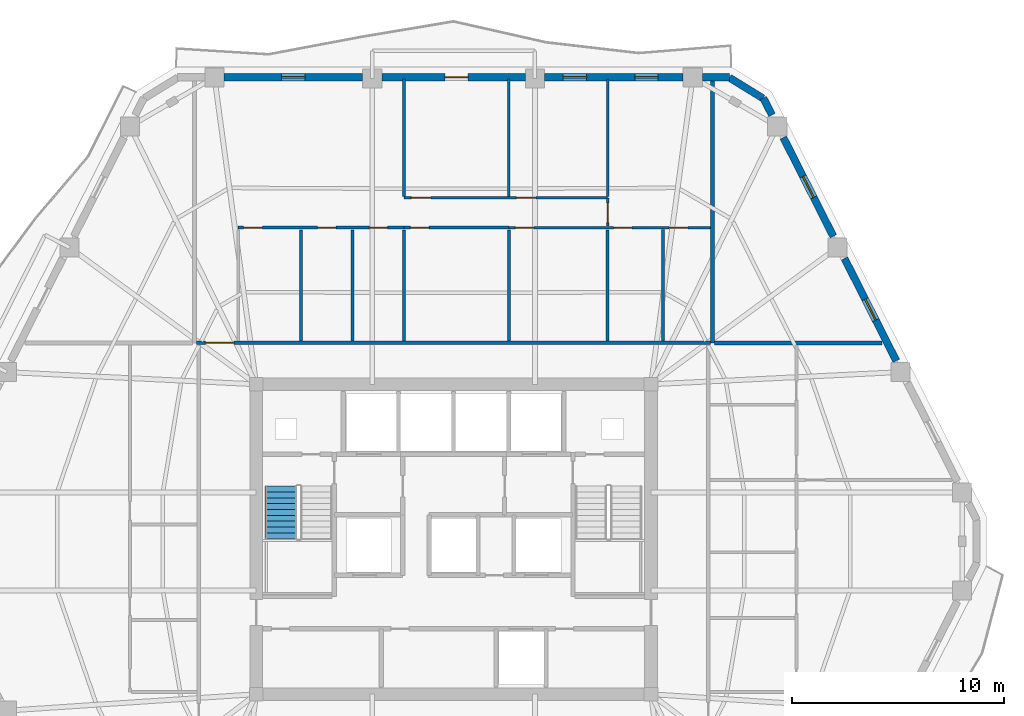
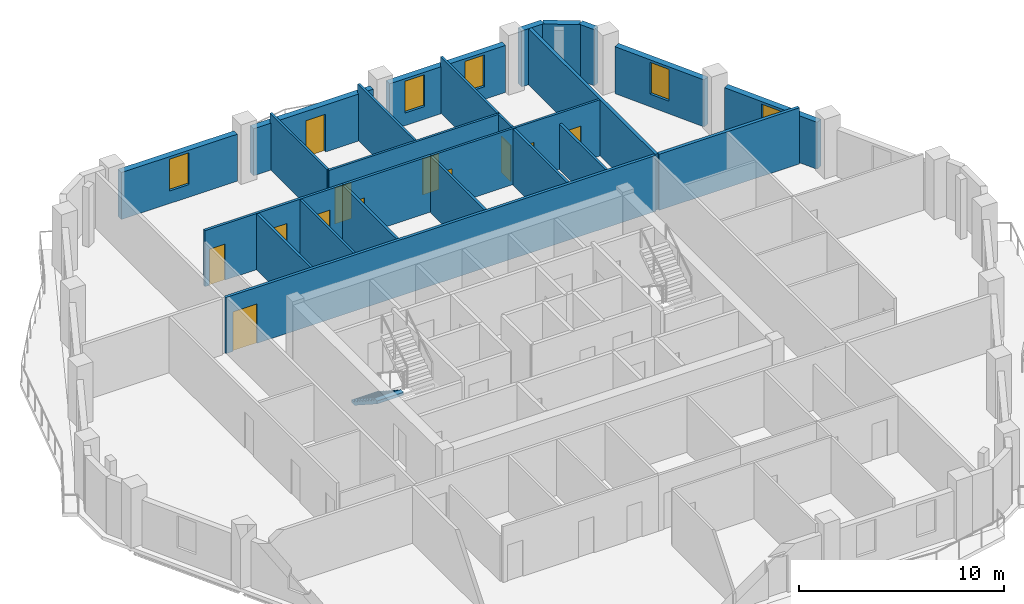
# One storey, part 7 of 10: 25 walls, 12 doors, 5 windows, 1 stair flight, 17 openings, 1 element without a shape of its own.
"""IFC4 building model written with IfcOpenShell, lengths in metres."""

from ifc_helpers import new_model, si_unit, direction, frame, frame_2d, origin, place, context, subcontext, project, spatial, polyline, rectangle, outline, extrude, material, layer, layer_set, type_object, element, fill, aggregate, save


model = new_model("IFC4")

# Units and contexts
model_context = context("Model", 3, precision=1e-05, world=origin(), true_north=direction((0.0, 1.0)))
body_context = subcontext(model_context, "Body", "Model", "MODEL_VIEW")
ifc_project = project(units=[si_unit("LENGTHUNIT", "METRE"), si_unit("AREAUNIT", "SQUARE_METRE"), si_unit("VOLUMEUNIT", "CUBIC_METRE"), si_unit("PLANEANGLEUNIT", "RADIAN"), si_unit("MASSUNIT", "GRAM", prefix="KILO")], contexts=[model_context])

# Site, building, storey
site_placement = place(None, origin())
site = spatial("IfcSite", under=ifc_project, at=site_placement, CompositionType="ELEMENT")
building_placement = place(site_placement, origin())
building = spatial("IfcBuilding", under=site, at=building_placement, Name="Cinnabar Lancet Tower", CompositionType="ELEMENT")
storey_placement = place(building_placement, frame((0.0, 0.0, 160.60009765625)))
storey = spatial("IfcBuildingStorey", under=building, at=storey_placement, Name="L42", CompositionType="ELEMENT", Elevation=160.60009765625)

# Wall, opening, door
ifc_material_1 = material(Name="Acoustic twin-stud gypsum partition", Category="gypsum")
ifc_layer_1 = layer(ifc_material_1, 0.159912109375)
ifc_layer_set_1 = layer_set([ifc_layer_1], Name="Acoustic twin-stud gypsum partition")
wall_type_1 = type_object("IfcWallType", Name="ARC-WL-CORR-160", PredefinedType="PARTITIONING", material=ifc_layer_set_1)
wall_1_placement = place(storey_placement, frame((20.294921875, 35.14990234375, 0.0), z_axis=(0.0, 0.0, 1.0), x_axis=(1.0, 0.0, 0.0)))
wall_1 = element("IfcWall", 1, at=wall_1_placement, inside=storey, type_object=wall_type_1, Name="L42 Unit N01 Corridor Wall", PredefinedType="PARTITIONING", context=body_context, shape_type="SweptSolid", body=[
    extrude(rectangle(XDim=24.2099609375, YDim=0.159912109375, at=frame_2d((12.10498046875, 0.0))), origin(), (0.0, 0.0, 1.0), 3.33984375),
])
opening_1_placement = place(wall_1_placement, frame((0.405029296875, 0.0, 0.0)))
opening_1 = element("IfcOpeningElement", 2, at=opening_1_placement, cuts=wall_1, Name="Opening UD-02", PredefinedType="OPENING", context=body_context, shape_type="SweptSolid", body=[
    extrude(rectangle(XDim=1.35009765625, YDim=2.35009765625, at=frame_2d((0.675048828125, 1.175048828125))), frame((0.0, 0.08984375, 0.0), z_axis=(0.0, -1.0, 0.0), x_axis=(1.0, 0.0, 0.0)), (0.0, 0.0, 1.0), 0.179931640625),
])
ifc_material_2 = material(Name="Double-leaf solid timber penthouse entrance door", Category="wood")
door_type_1 = type_object("IfcDoorType", Name="ARC-DR-UNIT-PH", OperationType="NOTDEFINED", PredefinedType="DOOR", material=ifc_material_2)
door_1_placement = place(opening_1_placement, origin())
door_1 = element("IfcDoor", 3, at=door_1_placement, inside=storey, type_object=door_type_1, Name="DR-L42-N01-ENT", OperationType="SINGLE_SWING_LEFT", OverallHeight=2.35009765625, OverallWidth=1.35009765625, PredefinedType="DOOR", context=body_context, shape_type="SweptSolid", body=[
    extrude(rectangle(XDim=1.35009765625, YDim=2.35009765625, at=frame_2d((0.675048828125, 1.175048828125))), frame((0.0, 0.02490234375, 0.0), z_axis=(0.0, -1.0, 0.0), x_axis=(1.0, 0.0, 0.0)), (0.0, 0.0, 1.0), 0.050048828125),
])
fill(opening_1, door_1)

# Walls
ifc_material_3 = material(Name="Fire-rated twin-frame acoustic drywall", Category="gypsum")
ifc_layer_2 = layer(ifc_material_3, 0.179931640625)
ifc_layer_set_2 = layer_set([ifc_layer_2], Name="Fire-rated twin-frame acoustic drywall")
wall_type_2 = type_object("IfcWallType", Name="ARC-WL-PARTY-180", PredefinedType="PARTITIONING", material=ifc_layer_set_2)
wall_2_placement = place(storey_placement, frame((44.60009765625, 35.14990234375, 0.0), z_axis=(0.0, 0.0, 1.0), x_axis=(0.0, 1.0, 0.0)))
element("IfcWall", 4, at=wall_2_placement, inside=storey, type_object=wall_type_2, Name="PW-L42-NPTY-446", PredefinedType="PARTITIONING", context=body_context, shape_type="SweptSolid", body=[
    extrude(rectangle(XDim=12.34521484375, YDim=0.179931640625, at=frame_2d((6.172607421875, 0.0))), origin(), (0.0, 0.0, 1.0), 3.33984375),
])
wall_3_placement = place(storey_placement, frame((44.695068359375, 35.14990234375, 0.0), z_axis=(0.0, 0.0, 1.0), x_axis=(1.0, 0.0, 0.0)))
element("IfcWall", 5, at=wall_3_placement, inside=storey, type_object=wall_type_2, Name="PW-L42-ENB", PredefinedType="PARTITIONING", context=body_context, shape_type="SweptSolid", body=[
    extrude(rectangle(XDim=7.89501953125, YDim=0.179931640625, at=frame_2d((3.947509765625, 0.0))), origin(), (0.0, 0.0, 1.0), 3.33984375),
])

# Wall, openings, doors
ifc_material_4 = material(Name="Gypsum plasterboard stud partition", Category="gypsum")
ifc_layer_3 = layer(ifc_material_4, 0.125)
ifc_layer_set_3 = layer_set([ifc_layer_3], Name="Gypsum plasterboard stud partition")
wall_type_3 = type_object("IfcWallType", Name="ARC-WL-UNIT-125", PredefinedType="PARTITIONING", material=ifc_layer_set_3)
wall_4_placement = place(storey_placement, frame((35.0048828125, 40.58203125, 0.0), z_axis=(0.0, 0.0, 1.0), x_axis=(1.0, 0.0, 0.0)))
wall_4 = element("IfcWall", 6, at=wall_4_placement, inside=storey, type_object=wall_type_3, Name="UW-L42-N01-SP2", PredefinedType="PARTITIONING", context=body_context, shape_type="SweptSolid", body=[
    extrude(rectangle(XDim=9.5, YDim=0.125, at=frame_2d((4.75, 0.0))), origin(), (0.0, 0.0, 1.0), 3.33984375),
])
opening_2_placement = place(wall_4_placement, frame((4.931884765625, 0.0, 0.0)))
opening_2 = element("IfcOpeningElement", 7, at=opening_2_placement, cuts=wall_4, Name="Opening BD-01", PredefinedType="OPENING", context=body_context, shape_type="SweptSolid", body=[
    extrude(rectangle(XDim=0.860107421875, YDim=2.10009765625, at=frame_2d((0.43017578125, 1.050048828125))), frame((0.0, 0.072509765625, 0.0), z_axis=(0.0, -1.0, 0.0), x_axis=(1.0, 0.0, 0.0)), (0.0, 0.0, 1.0), 0.14501953125),
])
opening_3_placement = place(wall_4_placement, frame((7.550048828125, 0.0, 0.0)))
opening_3 = element("IfcOpeningElement", 8, at=opening_3_placement, cuts=wall_4, Name="Opening RD-02", PredefinedType="OPENING", context=body_context, shape_type="SweptSolid", body=[
    extrude(rectangle(XDim=0.8798828125, YDim=2.14990234375, at=frame_2d((0.43994140625, 1.074951171875))), frame((0.0, 0.072509765625, 0.0), z_axis=(0.0, -1.0, 0.0), x_axis=(1.0, 0.0, 0.0)), (0.0, 0.0, 1.0), 0.14501953125),
])
opening_4_placement = place(wall_4_placement, frame((0.300048828125, 0.0, 0.0)))
opening_4 = element("IfcOpeningElement", 9, at=opening_4_placement, cuts=wall_4, Name="Opening RD-02", PredefinedType="OPENING", context=body_context, shape_type="SweptSolid", body=[
    extrude(rectangle(XDim=0.8798828125, YDim=2.14990234375, at=frame_2d((0.43994140625, 1.074951171875))), frame((0.0, 0.072509765625, 0.0), z_axis=(0.0, -1.0, 0.0), x_axis=(1.0, 0.0, 0.0)), (0.0, 0.0, 1.0), 0.14501953125),
])
ifc_material_5 = material(Name="Moisture-resistant timber bathroom door", Category="wood")
door_type_2 = type_object("IfcDoorType", Name="ARC-DR-BATH", OperationType="NOTDEFINED", PredefinedType="DOOR", material=ifc_material_5)
door_2_placement = place(opening_2_placement, origin())
door_2 = element("IfcDoor", 10, at=door_2_placement, inside=storey, type_object=door_type_2, Name="DR-L42-N01-ENS", OperationType="SINGLE_SWING_RIGHT", OverallHeight=2.10009765625, OverallWidth=0.860107421875, PredefinedType="DOOR", context=body_context, shape_type="SweptSolid", body=[
    extrude(rectangle(XDim=0.860107421875, YDim=2.10009765625, at=frame_2d((0.43017578125, 1.050048828125))), frame((0.0, 0.02490234375, 0.0), z_axis=(0.0, -1.0, 0.0), x_axis=(1.0, 0.0, 0.0)), (0.0, 0.0, 1.0), 0.050048828125),
])
fill(opening_2, door_2)
ifc_material_6 = material(Name="Engineered timber study door", Category="wood")
door_type_3 = type_object("IfcDoorType", Name="ARC-DR-STUDY", OperationType="NOTDEFINED", PredefinedType="DOOR", material=ifc_material_6)
door_3_placement = place(opening_3_placement, origin())
door_3 = element("IfcDoor", 11, at=door_3_placement, inside=storey, type_object=door_type_3, Name="DR-L42-N01-ENS-WDR", OperationType="SINGLE_SWING_LEFT", OverallHeight=2.14990234375, OverallWidth=0.8798828125, PredefinedType="DOOR", context=body_context, shape_type="SweptSolid", body=[
    extrude(rectangle(XDim=0.8798828125, YDim=2.14990234375, at=frame_2d((0.43994140625, 1.074951171875))), frame((0.0, 0.02490234375, 0.0), z_axis=(0.0, -1.0, 0.0), x_axis=(1.0, 0.0, 0.0)), (0.0, 0.0, 1.0), 0.050048828125),
])
fill(opening_3, door_3)
door_4_placement = place(opening_4_placement, origin())
door_4 = element("IfcDoor", 12, at=door_4_placement, inside=storey, type_object=door_type_3, Name="DR-L42-N01-DRS", OperationType="SINGLE_SWING_LEFT", OverallHeight=2.14990234375, OverallWidth=0.8798828125, PredefinedType="DOOR", context=body_context, shape_type="SweptSolid", body=[
    extrude(rectangle(XDim=0.8798828125, YDim=2.14990234375, at=frame_2d((0.43994140625, 1.074951171875))), frame((0.0, 0.02490234375, 0.0), z_axis=(0.0, -1.0, 0.0), x_axis=(1.0, 0.0, 0.0)), (0.0, 0.0, 1.0), 0.050048828125),
])
fill(opening_4, door_4)

# Walls
wall_5_placement = place(storey_placement, frame((27.639892578125, 35.235107421875, 0.0), z_axis=(0.0, 0.0, 1.0), x_axis=(0.0, 1.0, 0.0)))
element("IfcWall", 13, at=wall_5_placement, inside=storey, type_object=wall_type_3, Name="UW-L42-N01-STD", PredefinedType="PARTITIONING", context=body_context, shape_type="SweptSolid", body=[
    extrude(rectangle(XDim=5.241943359375, YDim=0.125, at=frame_2d((2.62109375, 0.0))), origin(), (0.0, 0.0, 1.0), 3.33984375),
])
wall_6_placement = place(storey_placement, frame((30.06201171875, 42.047119140625, 0.0), z_axis=(0.0, 0.0, 1.0), x_axis=(0.0, 1.0, 0.0)))
element("IfcWall", 14, at=wall_6_placement, inside=storey, type_object=wall_type_3, Name="UW-L42-N01-BD2W", PredefinedType="PARTITIONING", context=body_context, shape_type="SweptSolid", body=[
    extrude(rectangle(XDim=5.537841796875, YDim=0.125, at=frame_2d((2.76904296875, 0.0))), origin(), (0.0, 0.0, 1.0), 3.33984375),
])

# Wall, openings, doors
wall_7_placement = place(storey_placement, frame((30.06201171875, 41.98193359375, 0.0), z_axis=(0.0, 0.0, 1.0), x_axis=(1.0, 0.0, 0.0)))
wall_7 = element("IfcWall", 15, at=wall_7_placement, inside=storey, type_object=wall_type_3, Name="UW-L42-N01-HLN", PredefinedType="PARTITIONING", context=body_context, shape_type="SweptSolid", body=[
    extrude(rectangle(XDim=9.594970703125, YDim=0.125, at=frame_2d((4.79736328125, 0.0))), origin(), (0.0, 0.0, 1.0), 3.33984375),
])
opening_5_placement = place(wall_7_placement, frame((0.35009765625, 0.0, 0.0)))
opening_5 = element("IfcOpeningElement", 16, at=opening_5_placement, cuts=wall_7, Name="Opening RD-01", PredefinedType="OPENING", context=body_context, shape_type="SweptSolid", body=[
    extrude(rectangle(XDim=0.919921875, YDim=2.14990234375, at=frame_2d((0.4599609375, 1.074951171875))), frame((0.0, 0.072509765625, 0.0), z_axis=(0.0, -1.0, 0.0), x_axis=(1.0, 0.0, 0.0)), (0.0, 0.0, 1.0), 0.14501953125),
])
opening_6_placement = place(wall_7_placement, frame((5.29296875, 0.0, 0.0)))
opening_6 = element("IfcOpeningElement", 17, at=opening_6_placement, cuts=wall_7, Name="Opening RD-01", PredefinedType="OPENING", context=body_context, shape_type="SweptSolid", body=[
    extrude(rectangle(XDim=0.919921875, YDim=2.14990234375, at=frame_2d((0.4599609375, 1.074951171875))), frame((0.0, 0.072509765625, 0.0), z_axis=(0.0, -1.0, 0.0), x_axis=(1.0, 0.0, 0.0)), (0.0, 0.0, 1.0), 0.14501953125),
])
ifc_material_7 = material(Name="Engineered timber bedroom door", Category="wood")
door_type_4 = type_object("IfcDoorType", Name="ARC-DR-ROOM", OperationType="NOTDEFINED", PredefinedType="DOOR", material=ifc_material_7)
door_5_placement = place(opening_5_placement, origin())
door_5 = element("IfcDoor", 18, at=door_5_placement, inside=storey, type_object=door_type_4, Name="DR-L42-N01-BD2", OperationType="SINGLE_SWING_RIGHT", OverallHeight=2.14990234375, OverallWidth=0.919921875, PredefinedType="DOOR", context=body_context, shape_type="SweptSolid", body=[
    extrude(rectangle(XDim=0.919921875, YDim=2.14990234375, at=frame_2d((0.4599609375, 1.074951171875))), frame((0.0, 0.02490234375, 0.0), z_axis=(0.0, -1.0, 0.0), x_axis=(1.0, 0.0, 0.0)), (0.0, 0.0, 1.0), 0.050048828125),
])
fill(opening_5, door_5)
door_6_placement = place(opening_6_placement, origin())
door_6 = element("IfcDoor", 19, at=door_6_placement, inside=storey, type_object=door_type_4, Name="DR-L42-N01-BD3", OperationType="SINGLE_SWING_LEFT", OverallHeight=2.14990234375, OverallWidth=0.919921875, PredefinedType="DOOR", context=body_context, shape_type="SweptSolid", body=[
    extrude(rectangle(XDim=0.919921875, YDim=2.14990234375, at=frame_2d((0.4599609375, 1.074951171875))), frame((0.0, 0.02490234375, 0.0), z_axis=(0.0, -1.0, 0.0), x_axis=(1.0, 0.0, 0.0)), (0.0, 0.0, 1.0), 0.050048828125),
])
fill(opening_6, door_6)

# Wall, opening, door
wall_8_placement = place(storey_placement, frame((39.656982421875, 40.652099609375, 0.0), z_axis=(0.0, 0.0, 1.0), x_axis=(0.0, 1.0, 0.0)))
wall_8 = element("IfcWall", 20, at=wall_8_placement, inside=storey, type_object=wall_type_3, Name="UW-L42-N01-MBE", PredefinedType="PARTITIONING", context=body_context, shape_type="SweptSolid", body=[
    extrude(rectangle(XDim=1.329833984375, YDim=0.125, at=frame_2d((0.6650390625, 0.0))), origin(), (0.0, 0.0, 1.0), 3.33984375),
])
opening_7_placement = place(wall_8_placement, frame((0.159912109375, 0.0, 0.0)))
opening_7 = element("IfcOpeningElement", 21, at=opening_7_placement, cuts=wall_8, Name="Opening RD-01", PredefinedType="OPENING", context=body_context, shape_type="SweptSolid", body=[
    extrude(rectangle(XDim=0.919921875, YDim=2.14990234375, at=frame_2d((0.4599609375, 1.074951171875))), frame((0.0, 0.072509765625, 0.0), z_axis=(0.0, -1.0, 0.0), x_axis=(1.0, 0.0, 0.0)), (0.0, 0.0, 1.0), 0.14501953125),
])
door_7_placement = place(opening_7_placement, origin())
door_7 = element("IfcDoor", 22, at=door_7_placement, inside=storey, type_object=door_type_4, Name="DR-L42-N01-MBD", OperationType="SINGLE_SWING_RIGHT", OverallHeight=2.14990234375, OverallWidth=0.919921875, PredefinedType="DOOR", context=body_context, shape_type="SweptSolid", body=[
    extrude(rectangle(XDim=0.919921875, YDim=2.14990234375, at=frame_2d((0.4599609375, 1.074951171875))), frame((0.0, 0.02490234375, 0.0), z_axis=(0.0, -1.0, 0.0), x_axis=(1.0, 0.0, 0.0)), (0.0, 0.0, 1.0), 0.050048828125),
])
fill(opening_7, door_7)

# Walls
for number, where, z_axis, x_axis, name in (
    (23, (35.0048828125, 42.047119140625, 0.0), (0.0, 0.0, 1.0), (0.0, 1.0, 0.0), "UW-L42-N01-MB2W"),
    (24, (39.656982421875, 42.047119140625, 0.0), (0.0, 0.0, 1.0), (0.0, 1.0, 0.0), "UW-L42-N01-B23W"),
):
    element("IfcWall", number, at=place(storey_placement, frame(where, z_axis=z_axis, x_axis=x_axis)), inside=storey, type_object=wall_type_3, Name=name, PredefinedType="PARTITIONING", context=body_context, shape_type="SweptSolid", body=[
        extrude(rectangle(XDim=5.537841796875, YDim=0.125, at=frame_2d((2.76904296875, 0.0))), origin(), (0.0, 0.0, 1.0), 3.33984375),
    ])

# Wall, openings, doors
ifc_material_8 = material(Name="Moisture-resistant cement-board plumbing wall", Category="masonry")
ifc_layer_4 = layer(ifc_material_8, 0.139892578125)
ifc_layer_set_4 = layer_set([ifc_layer_4], Name="Moisture-resistant cement-board plumbing wall")
wall_type_4 = type_object("IfcWallType", Name="ARC-WL-WET-140", PredefinedType="PLUMBINGWALL", material=ifc_layer_set_4)
wall_9_placement = place(storey_placement, frame((22.25, 40.58203125, 0.0), z_axis=(0.0, 0.0, 1.0), x_axis=(1.0, 0.0, 0.0)))
wall_9 = element("IfcWall", 25, at=wall_9_placement, inside=storey, type_object=wall_type_4, Name="UW-L42-N01-SPL", PredefinedType="PLUMBINGWALL", context=body_context, shape_type="SweptSolid", body=[
    extrude(rectangle(XDim=7.81201171875, YDim=0.139892578125, at=frame_2d((3.906005859375, 0.0))), origin(), (0.0, 0.0, 1.0), 3.33984375),
])
opening_8_placement = place(wall_9_placement, frame((6.176025390625, 0.0, 0.0)))
opening_8 = element("IfcOpeningElement", 26, at=opening_8_placement, cuts=wall_9, Name="Opening BD-01", PredefinedType="OPENING", context=body_context, shape_type="SweptSolid", body=[
    extrude(rectangle(XDim=0.860107421875, YDim=2.10009765625, at=frame_2d((0.43017578125, 1.050048828125))), frame((0.0, 0.079833984375, 0.0), z_axis=(0.0, -1.0, 0.0), x_axis=(1.0, 0.0, 0.0)), (0.0, 0.0, 1.0), 0.159912109375),
])
opening_9_placement = place(wall_9_placement, frame((0.260009765625, 0.0, 0.0)))
opening_9 = element("IfcOpeningElement", 27, at=opening_9_placement, cuts=wall_9, Name="Opening RD-02", PredefinedType="OPENING", context=body_context, shape_type="SweptSolid", body=[
    extrude(rectangle(XDim=0.8798828125, YDim=2.14990234375, at=frame_2d((0.43994140625, 1.074951171875))), frame((0.0, 0.079833984375, 0.0), z_axis=(0.0, -1.0, 0.0), x_axis=(1.0, 0.0, 0.0)), (0.0, 0.0, 1.0), 0.159912109375),
])
opening_10_placement = place(wall_9_placement, frame((3.739990234375, 0.0, 0.0)))
opening_10 = element("IfcOpeningElement", 28, at=opening_10_placement, cuts=wall_9, Name="Opening RD-02", PredefinedType="OPENING", context=body_context, shape_type="SweptSolid", body=[
    extrude(rectangle(XDim=0.8798828125, YDim=2.14990234375, at=frame_2d((0.43994140625, 1.074951171875))), frame((0.0, 0.079833984375, 0.0), z_axis=(0.0, -1.0, 0.0), x_axis=(1.0, 0.0, 0.0)), (0.0, 0.0, 1.0), 0.159912109375),
])
door_8_placement = place(opening_8_placement, origin())
door_8 = element("IfcDoor", 29, at=door_8_placement, inside=storey, type_object=door_type_2, Name="DR-L42-N01-BTH", OperationType="SINGLE_SWING_RIGHT", OverallHeight=2.10009765625, OverallWidth=0.860107421875, PredefinedType="DOOR", context=body_context, shape_type="SweptSolid", body=[
    extrude(rectangle(XDim=0.860107421875, YDim=2.10009765625, at=frame_2d((0.43017578125, 1.050048828125))), frame((0.0, 0.02490234375, 0.0), z_axis=(0.0, -1.0, 0.0), x_axis=(1.0, 0.0, 0.0)), (0.0, 0.0, 1.0), 0.050048828125),
])
fill(opening_8, door_8)
door_9_placement = place(opening_9_placement, origin())
door_9 = element("IfcDoor", 30, at=door_9_placement, inside=storey, type_object=door_type_3, Name="DR-L42-N01-KIT", OperationType="SINGLE_SWING_RIGHT", OverallHeight=2.14990234375, OverallWidth=0.8798828125, PredefinedType="DOOR", context=body_context, shape_type="SweptSolid", body=[
    extrude(rectangle(XDim=0.8798828125, YDim=2.14990234375, at=frame_2d((0.43994140625, 1.074951171875))), frame((0.0, 0.02490234375, 0.0), z_axis=(0.0, -1.0, 0.0), x_axis=(1.0, 0.0, 0.0)), (0.0, 0.0, 1.0), 0.050048828125),
])
fill(opening_9, door_9)
door_10_placement = place(opening_10_placement, origin())
door_10 = element("IfcDoor", 31, at=door_10_placement, inside=storey, type_object=door_type_3, Name="DR-L42-N01-STD", OperationType="SINGLE_SWING_LEFT", OverallHeight=2.14990234375, OverallWidth=0.8798828125, PredefinedType="DOOR", context=body_context, shape_type="SweptSolid", body=[
    extrude(rectangle(XDim=0.8798828125, YDim=2.14990234375, at=frame_2d((0.43994140625, 1.074951171875))), frame((0.0, 0.02490234375, 0.0), z_axis=(0.0, -1.0, 0.0), x_axis=(1.0, 0.0, 0.0)), (0.0, 0.0, 1.0), 0.050048828125),
])
fill(opening_10, door_10)

# Wall, opening, door
wall_10_placement = place(storey_placement, frame((30.06201171875, 40.58203125, 0.0), z_axis=(0.0, 0.0, 1.0), x_axis=(1.0, 0.0, 0.0)))
wall_10 = element("IfcWall", 32, at=wall_10_placement, inside=storey, type_object=wall_type_4, Name="UW-L42-N01-SPM", PredefinedType="PLUMBINGWALL", context=body_context, shape_type="SweptSolid", body=[
    extrude(rectangle(XDim=4.94287109375, YDim=0.139892578125, at=frame_2d((2.471435546875, 0.0))), origin(), (0.0, 0.0, 1.0), 3.33984375),
])
opening_11_placement = place(wall_10_placement, frame((0.300048828125, 0.0, 0.0)))
opening_11 = element("IfcOpeningElement", 33, at=opening_11_placement, cuts=wall_10, Name="Opening RD-02", PredefinedType="OPENING", context=body_context, shape_type="SweptSolid", body=[
    extrude(rectangle(XDim=0.8798828125, YDim=2.14990234375, at=frame_2d((0.43994140625, 1.074951171875))), frame((0.0, 0.079833984375, 0.0), z_axis=(0.0, -1.0, 0.0), x_axis=(1.0, 0.0, 0.0)), (0.0, 0.0, 1.0), 0.159912109375),
])
door_11_placement = place(opening_11_placement, origin())
door_11 = element("IfcDoor", 34, at=door_11_placement, inside=storey, type_object=door_type_3, Name="DR-L42-N01-UTL", OperationType="SINGLE_SWING_LEFT", OverallHeight=2.14990234375, OverallWidth=0.8798828125, PredefinedType="DOOR", context=body_context, shape_type="SweptSolid", body=[
    extrude(rectangle(XDim=0.8798828125, YDim=2.14990234375, at=frame_2d((0.43994140625, 1.074951171875))), frame((0.0, 0.02490234375, 0.0), z_axis=(0.0, -1.0, 0.0), x_axis=(1.0, 0.0, 0.0)), (0.0, 0.0, 1.0), 0.050048828125),
])
fill(opening_11, door_11)

# Walls
for number, where, z_axis, x_axis, name in (
    (35, (25.218994140625, 35.235107421875, 0.0), (0.0, 0.0, 1.0), (0.0, 1.0, 0.0), "UW-L42-N01-KDV"),
    (36, (30.06201171875, 35.235107421875, 0.0), (0.0, 0.0, 1.0), (0.0, 1.0, 0.0), "UW-L42-N01-ENSW"),
    (37, (35.0048828125, 35.235107421875, 0.0), (0.0, 0.0, 1.0), (0.0, 1.0, 0.0), "UW-L42-N01-ENSE"),
    (38, (39.656982421875, 35.235107421875, 0.0), (0.0, 0.0, 1.0), (0.0, 1.0, 0.0), "UW-L42-N01-UT3"),
):
    element("IfcWall", number, at=place(storey_placement, frame(where, z_axis=z_axis, x_axis=x_axis)), inside=storey, type_object=wall_type_4, Name=name, PredefinedType="PLUMBINGWALL", context=body_context, shape_type="SweptSolid", body=[
        extrude(rectangle(XDim=5.241943359375, YDim=0.139892578125, at=frame_2d((2.62109375, 0.0))), origin(), (0.0, 0.0, 1.0), 3.33984375),
    ])
wall_11_placement = place(storey_placement, frame((42.27490234375, 35.235107421875, 0.0), z_axis=(0.0, 0.0, 1.0), x_axis=(0.0, 1.0, 0.0)))
element("IfcWall", 39, at=wall_11_placement, inside=storey, type_object=wall_type_4, Name="UW-L42-N01-ENS-WDV", PredefinedType="PLUMBINGWALL", context=body_context, shape_type="SweptSolid", body=[
    extrude(rectangle(XDim=5.261962890625, YDim=0.139892578125, at=frame_2d((2.630859375, 0.0))), origin(), (0.0, 0.0, 1.0), 2.721923828125),
])
ifc_material_9 = material(Name="Cinnabar red clay brick", Category="masonry")
ifc_layer_5 = layer(ifc_material_9, 0.340087890625)
ifc_layer_set_5 = layer_set([ifc_layer_5], Name="Cinnabar red clay brick")
wall_type_5 = type_object("IfcWallType", Name="ENV-WL-BRK-RED-340", PredefinedType="STANDARD", material=ifc_layer_set_5)
wall_12_placement = place(storey_placement, frame((46.970947265625, 46.677001953125, 0.0), z_axis=(0.0, 0.0, 1.0), x_axis=(-0.851798915137, 0.523868884523, 0.0)))
element("IfcWall", 40, at=wall_12_placement, inside=storey, type_object=wall_type_5, Name="L42 Chamfered Corner Brick Pier 4.1", PredefinedType="STANDARD", context=body_context, shape_type="SweptSolid", body=[
    extrude(rectangle(XDim=1.847900390625, YDim=0.340087890625, at=frame_2d((0.923828125, 0.0))), origin(), (0.0, 0.0, 1.0), 3.33984375),
])

# Wall, opening, window
wall_13_placement = place(storey_placement, frame((53.258056640625, 34.306884765625, 0.0), z_axis=(0.0, 0.0, 1.0), x_axis=(-0.451491174807, 0.892275584711, 0.0)))
wall_13 = element("IfcWall", 41, at=wall_13_placement, inside=storey, type_object=wall_type_5, Name="L42 Face 3 Masonry Bay Wall 3", PredefinedType="STANDARD", context=body_context, shape_type="SweptSolid", body=[
    extrude(rectangle(XDim=5.404296875, YDim=0.340087890625, at=frame_2d((2.7021484375, 0.0))), origin(), (0.0, 0.0, 1.0), 2.796875),
])
opening_12_placement = place(wall_13_placement, frame((2.152099609375, 0.0, 0.75)))
opening_12 = element("IfcOpeningElement", 42, at=opening_12_placement, cuts=wall_13, Name="Opening WN-04", PredefinedType="OPENING", context=body_context, shape_type="SweptSolid", body=[
    extrude(rectangle(XDim=1.10009765625, YDim=1.89697265625, at=frame_2d((0.550048828125, 0.948486328125))), frame((0.0, 0.179931640625, 0.0), z_axis=(0.0, -1.0, 0.0), x_axis=(1.0, 0.0, 0.0)), (0.0, 0.0, 1.0), 0.360107421875),
])
ifc_material_10 = material(Name="Thermally broken bronze-anodized aluminium tall lancet window", Category="aluminium")
window_type = type_object("IfcWindowType", Name="ENV-WN-LANCET-1100", PartitioningType="SINGLE_PANEL", PredefinedType="WINDOW", material=ifc_material_10)
window_1_placement = place(opening_12_placement, origin())
window_1 = element("IfcWindow", 43, at=window_1_placement, inside=storey, type_object=window_type, Name="L42 Face 3 Gothic Lancet Window 3", OverallHeight=1.89697265625, OverallWidth=1.10009765625, PartitioningType="SINGLE_PANEL", PredefinedType="WINDOW", context=body_context, shape_type="SweptSolid", body=[
    extrude(rectangle(XDim=1.10009765625, YDim=1.89697265625, at=frame_2d((0.550048828125, 0.948486328125))), frame((0.0, 0.030029296875, 0.0), z_axis=(0.0, -1.0, 0.0), x_axis=(1.0, 0.0, 0.0)), (0.0, 0.0, 1.0), 0.06005859375),
])
fill(opening_12, window_1)

wall_14_placement = place(storey_placement, frame((50.2890625, 40.176025390625, 0.0), z_axis=(0.0, 0.0, 1.0), x_axis=(-0.451595734115, 0.892222670038, 0.0)))
wall_14 = element("IfcWall", 44, at=wall_14_placement, inside=storey, type_object=wall_type_5, Name="L42 Face 3 Masonry Bay Wall 4", PredefinedType="STANDARD", context=body_context, shape_type="SweptSolid", body=[
    extrude(rectangle(XDim=5.208251953125, YDim=0.340087890625, at=frame_2d((2.60400390625, 0.0))), origin(), (0.0, 0.0, 1.0), 2.796875),
])
opening_13_placement = place(wall_14_placement, frame((2.053955078125, 0.0, 0.75)))
opening_13 = element("IfcOpeningElement", 45, at=opening_13_placement, cuts=wall_14, Name="Opening WN-04", PredefinedType="OPENING", context=body_context, shape_type="SweptSolid", body=[
    extrude(rectangle(XDim=1.10009765625, YDim=1.89697265625, at=frame_2d((0.550048828125, 0.948486328125))), frame((0.0, 0.179931640625, 0.0), z_axis=(0.0, -1.0, 0.0), x_axis=(1.0, 0.0, 0.0)), (0.0, 0.0, 1.0), 0.360107421875),
])
window_2_placement = place(opening_13_placement, origin())
window_2 = element("IfcWindow", 46, at=window_2_placement, inside=storey, type_object=window_type, Name="L42 Face 3 Gothic Lancet Window 4", OverallHeight=1.89697265625, OverallWidth=1.10009765625, PartitioningType="SINGLE_PANEL", PredefinedType="WINDOW", context=body_context, shape_type="SweptSolid", body=[
    extrude(rectangle(XDim=1.10009765625, YDim=1.89697265625, at=frame_2d((0.550048828125, 0.948486328125))), frame((0.0, 0.030029296875, 0.0), z_axis=(0.0, -1.0, 0.0), x_axis=(1.0, 0.0, 0.0)), (0.0, 0.0, 1.0), 0.06005859375),
])
fill(opening_13, window_2)

# Walls
wall_15_placement = place(storey_placement, frame((47.39990234375, 45.885009765625, 0.0), z_axis=(0.0, 0.0, 1.0), x_axis=(-0.451521436551, 0.892260271633, 0.0)))
element("IfcWall", 47, at=wall_15_placement, inside=storey, type_object=wall_type_5, Name="L42 Face 3 Masonry Bay Wall 5", PredefinedType="STANDARD", context=body_context, shape_type="SweptSolid", body=[
    extrude(rectangle(XDim=0.90576171875, YDim=0.340087890625, at=frame_2d((0.452880859375, 0.0))), origin(), (0.0, 0.0, 1.0), 3.33984375),
])
wall_16_placement = place(storey_placement, frame((45.402099609375, 47.669921875, 0.0), z_axis=(0.0, 0.0, 1.0), x_axis=(-1.0, 0.0, 0.0)))
element("IfcWall", 48, at=wall_16_placement, inside=storey, type_object=wall_type_5, Name="L42 Face 4 Masonry Bay Wall 1", PredefinedType="STANDARD", context=body_context, shape_type="SweptSolid", body=[
    extrude(rectangle(XDim=1.279052734375, YDim=0.340087890625, at=frame_2d((0.6396484375, 0.0))), origin(), (0.0, 0.0, 1.0), 3.33984375),
])

# Wall, openings, windows
wall_17_placement = place(storey_placement, frame((43.215087890625, 47.669921875, 0.0), z_axis=(0.0, 0.0, 1.0), x_axis=(-1.0, 0.0, 0.0)))
wall_17 = element("IfcWall", 49, at=wall_17_placement, inside=storey, type_object=wall_type_5, Name="L42 Face 4 Masonry Bay Wall 2", PredefinedType="STANDARD", context=body_context, shape_type="SweptSolid", body=[
    extrude(rectangle(XDim=6.529052734375, YDim=0.340087890625, at=frame_2d((3.2646484375, 0.0))), origin(), (0.0, 0.0, 1.0), 2.796875),
])
opening_14_placement = place(wall_17_placement, frame((1.173095703125, 0.0, 0.75)))
opening_14 = element("IfcOpeningElement", 50, at=opening_14_placement, cuts=wall_17, Name="Opening WN-04", PredefinedType="OPENING", context=body_context, shape_type="SweptSolid", body=[
    extrude(rectangle(XDim=1.10009765625, YDim=1.89697265625, at=frame_2d((0.550048828125, 0.948486328125))), frame((0.0, 0.179931640625, 0.0), z_axis=(0.0, -1.0, 0.0), x_axis=(1.0, 0.0, 0.0)), (0.0, 0.0, 1.0), 0.360107421875),
])
opening_15_placement = place(wall_17_placement, frame((4.550048828125, 0.0, 0.75)))
opening_15 = element("IfcOpeningElement", 51, at=opening_15_placement, cuts=wall_17, Name="Opening WN-04", PredefinedType="OPENING", context=body_context, shape_type="SweptSolid", body=[
    extrude(rectangle(XDim=1.10009765625, YDim=1.89697265625, at=frame_2d((0.550048828125, 0.948486328125))), frame((0.0, 0.179931640625, 0.0), z_axis=(0.0, -1.0, 0.0), x_axis=(1.0, 0.0, 0.0)), (0.0, 0.0, 1.0), 0.360107421875),
])
window_3_placement = place(opening_14_placement, origin())
window_3 = element("IfcWindow", 52, at=window_3_placement, inside=storey, type_object=window_type, Name="L42 Face 4 Gothic Lancet Window 2", OverallHeight=1.89697265625, OverallWidth=1.10009765625, PartitioningType="SINGLE_PANEL", PredefinedType="WINDOW", context=body_context, shape_type="SweptSolid", body=[
    extrude(rectangle(XDim=1.10009765625, YDim=1.89697265625, at=frame_2d((0.550048828125, 0.948486328125))), frame((0.0, 0.030029296875, 0.0), z_axis=(0.0, -1.0, 0.0), x_axis=(1.0, 0.0, 0.0)), (0.0, 0.0, 1.0), 0.06005859375),
])
fill(opening_14, window_3)
window_4_placement = place(opening_15_placement, origin())
window_4 = element("IfcWindow", 53, at=window_4_placement, inside=storey, type_object=window_type, Name="L42 Split-Bay Gothic Lancet Window 122", OverallHeight=1.89697265625, OverallWidth=1.10009765625, PartitioningType="SINGLE_PANEL", PredefinedType="WINDOW", context=body_context, shape_type="SweptSolid", body=[
    extrude(rectangle(XDim=1.10009765625, YDim=1.89697265625, at=frame_2d((0.550048828125, 0.948486328125))), frame((0.0, 0.030029296875, 0.0), z_axis=(0.0, -1.0, 0.0), x_axis=(1.0, 0.0, 0.0)), (0.0, 0.0, 1.0), 0.06005859375),
])
fill(opening_15, window_4)

# Wall, opening, door
wall_18_placement = place(storey_placement, frame((35.778076171875, 47.669921875, 0.0), z_axis=(0.0, 0.0, 1.0), x_axis=(-1.0, 0.0, 0.0)))
wall_18 = element("IfcWall", 54, at=wall_18_placement, inside=storey, type_object=wall_type_5, Name="L42 Face 4 Masonry Bay Wall 3", PredefinedType="STANDARD", context=body_context, shape_type="SweptSolid", body=[
    extrude(rectangle(XDim=6.756103515625, YDim=0.340087890625, at=frame_2d((3.3779296875, 0.0))), origin(), (0.0, 0.0, 1.0), 2.796875),
])
opening_16_placement = place(wall_18_placement, frame((2.694091796875, 0.0, 0.0)))
opening_16 = element("IfcOpeningElement", 55, at=opening_16_placement, cuts=wall_18, Name="Opening TD-01", PredefinedType="OPENING", context=body_context, shape_type="SweptSolid", body=[
    extrude(rectangle(XDim=1.10009765625, YDim=2.25, at=frame_2d((0.550048828125, 1.125))), frame((0.0, 0.179931640625, 0.0), z_axis=(0.0, -1.0, 0.0), x_axis=(1.0, 0.0, 0.0)), (0.0, 0.0, 1.0), 0.360107421875),
])
ifc_material_11 = material(Name="Thermally broken low-E glazed balcony terrace door", Category="wood")
door_type_5 = type_object("IfcDoorType", Name="ARC-DR-BALC", OperationType="NOTDEFINED", PredefinedType="DOOR", material=ifc_material_11)
door_12_placement = place(opening_16_placement, origin())
door_12 = element("IfcDoor", 56, at=door_12_placement, inside=storey, type_object=door_type_5, Name="L42 Face 4 Glazed Terrace Door", OperationType="SINGLE_SWING_LEFT", OverallHeight=2.25, OverallWidth=1.10009765625, PredefinedType="DOOR", context=body_context, shape_type="SweptSolid", body=[
    extrude(rectangle(XDim=1.10009765625, YDim=2.25, at=frame_2d((0.550048828125, 1.125))), frame((0.0, 0.02490234375, 0.0), z_axis=(0.0, -1.0, 0.0), x_axis=(1.0, 0.0, 0.0)), (0.0, 0.0, 1.0), 0.050048828125),
])
fill(opening_16, door_12)

# Wall, opening, window
wall_19_placement = place(storey_placement, frame((28.114013671875, 47.669921875, 0.0), z_axis=(0.0, 0.0, 1.0), x_axis=(-1.0, 0.0, 0.0)))
wall_19 = element("IfcWall", 57, at=wall_19_placement, inside=storey, type_object=wall_type_5, Name="L42 Face 4 Masonry Bay Wall 4", PredefinedType="STANDARD", context=body_context, shape_type="SweptSolid", body=[
    extrude(rectangle(XDim=6.529052734375, YDim=0.340087890625, at=frame_2d((3.2646484375, 0.0))), origin(), (0.0, 0.0, 1.0), 2.796875),
])
opening_17_placement = place(wall_19_placement, frame((2.715087890625, 0.0, 0.75)))
opening_17 = element("IfcOpeningElement", 58, at=opening_17_placement, cuts=wall_19, Name="Opening WN-04", PredefinedType="OPENING", context=body_context, shape_type="SweptSolid", body=[
    extrude(rectangle(XDim=1.10009765625, YDim=1.89697265625, at=frame_2d((0.550048828125, 0.948486328125))), frame((0.0, 0.179931640625, 0.0), z_axis=(0.0, -1.0, 0.0), x_axis=(1.0, 0.0, 0.0)), (0.0, 0.0, 1.0), 0.360107421875),
])
window_5_placement = place(opening_17_placement, origin())
window_5 = element("IfcWindow", 59, at=window_5_placement, inside=storey, type_object=window_type, Name="L42 Face 4 Gothic Lancet Window 4", OverallHeight=1.89697265625, OverallWidth=1.10009765625, PartitioningType="SINGLE_PANEL", PredefinedType="WINDOW", context=body_context, shape_type="SweptSolid", body=[
    extrude(rectangle(XDim=1.10009765625, YDim=1.89697265625, at=frame_2d((0.550048828125, 0.948486328125))), frame((0.0, 0.030029296875, 0.0), z_axis=(0.0, -1.0, 0.0), x_axis=(1.0, 0.0, 0.0)), (0.0, 0.0, 1.0), 0.06005859375),
])
fill(opening_17, window_5)

# Stair, stair flight
ifc_material_12 = material(Name="Concrete C40/50", Category="concrete")
stair_type = type_object("IfcStairType", Name="ST-CORE", PredefinedType="HALF_TURN_STAIR", material=ifc_material_12)
stair_placement = place(storey_placement, origin())
stair = element("IfcStair", 60, at=stair_placement, inside=storey, type_object=stair_type, Name="L42 ST-1", PredefinedType="HALF_TURN_STAIR")
ifc_material_13 = material(Name="Concrete C40/50", Category="concrete")
stair_flight_type = type_object("IfcStairFlightType", Name="FLIGHT-CORE", PredefinedType="STRAIGHT", material=ifc_material_13)
stair_flight_placement = place(storey_placement, frame((24.27490234375, 28.39990234375, 0.0), z_axis=(0.0, 0.0, 1.0), x_axis=(0.0, -1.0, 0.0)))
stair_flight = element("IfcStairFlight", 61, at=stair_flight_placement, type_object=stair_flight_type, Name="ST-1 flight 1", NumberOfRisers=10, NumberOfTreads=9, PredefinedType="STRAIGHT", RiserHeight=0.1775, TreadLength=0.275, context=body_context, shape_type="SweptSolid", body=[
    extrude(outline(polyline([(0.0, 0.0), (0.0, 0.177490234375), (0.27490234375, 0.177490234375), (0.27490234375, 0.35498046875), (0.550048828125, 0.35498046875), (0.550048828125, 0.532470703125), (0.824951171875, 0.532470703125), (0.824951171875, 0.7099609375), (1.10009765625, 0.7099609375), (1.10009765625, 0.887451171875), (1.375, 0.887451171875), (1.375, 1.06494140625), (1.64990234375, 1.06494140625), (1.64990234375, 1.242431640625), (1.925048828125, 1.242431640625), (1.925048828125, 1.419921875), (2.199951171875, 1.419921875), (2.199951171875, 1.597412109375), (2.47509765625, 1.597412109375), (2.47509765625, 1.77490234375), (2.47509765625, 1.419189453125), (0.2763671875, 0.0), (0.0, 0.0)])), frame((0.0, 0.75, 0.0), z_axis=(0.0, -1.0, 0.0), x_axis=(1.0, 0.0, 0.0)), (0.0, 0.0, 1.0), 1.5),
])
aggregate(stair, [stair_flight])

save(model, "model.ifc")
